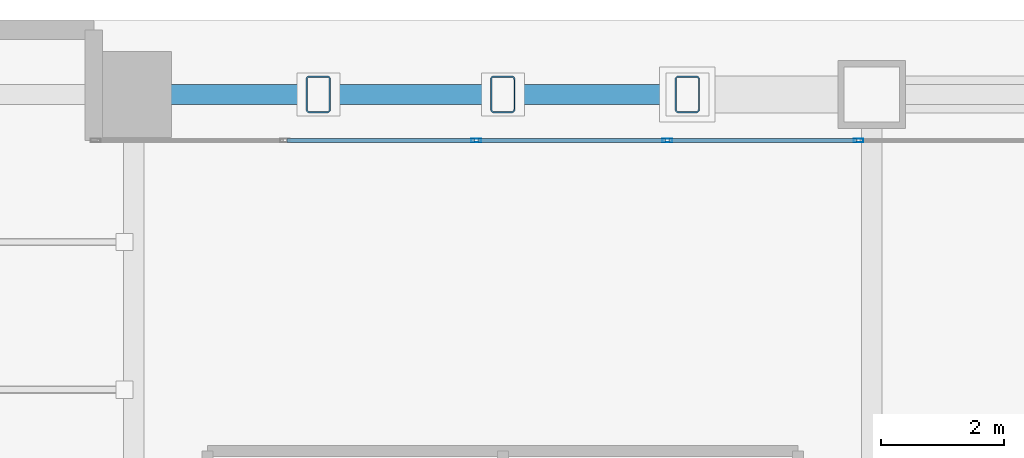
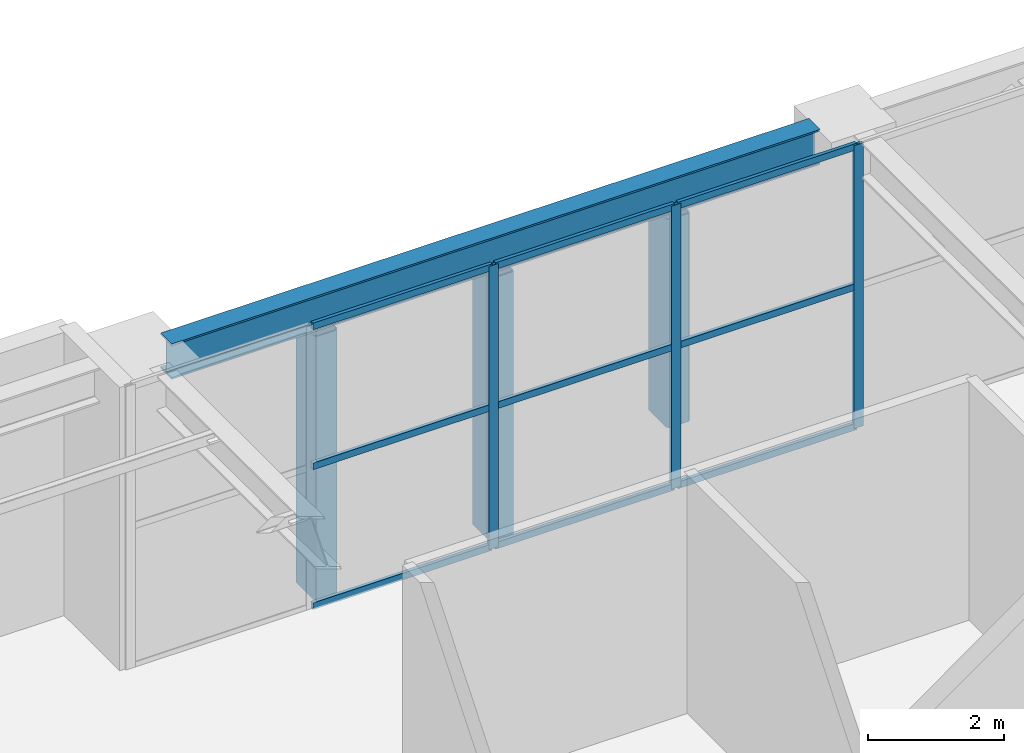
# One storey, part 16 of 32: 15 members, 1 beam, 1 element without a shape of its own.
"""IFC4 building model written with IfcOpenShell, lengths in metres."""

from ifc_helpers import new_model, si_unit, direction, frame, origin, origin_2d, place, context, subcontext, project, spatial, hollow_rectangle, i_section, extrude, material, layer, layer_set, material_profile, profile_set, type_object, element, aggregate, save


model = new_model("IFC4")

# Units and contexts
model_context = context("Model", 3, precision=1e-05, world=origin(), true_north=direction((0.0, 1.0)))
body_context = subcontext(model_context, "Body", "Model", "MODEL_VIEW")
ifc_project = project(units=[si_unit("LENGTHUNIT", "METRE"), si_unit("AREAUNIT", "SQUARE_METRE"), si_unit("VOLUMEUNIT", "CUBIC_METRE"), si_unit("PLANEANGLEUNIT", "RADIAN"), si_unit("MASSUNIT", "GRAM", prefix="KILO")], contexts=[model_context])

# Site, building, storey
site_placement = place(None, origin())
site = spatial("IfcSite", under=ifc_project, at=site_placement, CompositionType="ELEMENT")
building_placement = place(site_placement, origin())
building = spatial("IfcBuilding", under=site, at=building_placement, Name="Sarneth Arch Tower", CompositionType="ELEMENT")
storey_placement = place(building_placement, frame((0.0, 0.0, 11.39990234375)))
storey = spatial("IfcBuildingStorey", under=building, at=storey_placement, Name="L02", CompositionType="ELEMENT", Elevation=11.39990234375)

# Beam
ifc_material_1 = material(Name="Steel S355", Category="steel")
ifc_material_profile_1 = material_profile(ifc_material_1, i_section(OverallWidth=0.3291015625, OverallDepth=0.635009765625, WebThickness=0.017822265625, FlangeThickness=0.031005859375, FilletRadius=0.01904296875, at=origin_2d()), Name="W610x241")
ifc_profile_set_1 = profile_set([ifc_material_profile_1], Name="Steel S355")
beam_type = type_object("IfcBeamType", Name="BM-POD-610", PredefinedType="BEAM", material=ifc_profile_set_1)
beam_placement = place(storey_placement, frame((30.435546875, 74.800048828125, 4.78271484375), z_axis=(1.0, 0.0, 0.0), x_axis=(0.0, 1.0, 0.0)))
element("IfcBeam", 1, at=beam_placement, inside=storey, type_object=beam_type, Name="L02 Podium PN girder 3", PredefinedType="BEAM", context=body_context, shape_type="SweptSolid", body=[
    extrude(i_section(OverallWidth=0.3291015625, OverallDepth=0.635009765625, WebThickness=0.017822265625, FlangeThickness=0.031005859375, FilletRadius=0.01904296875, at=origin_2d()), origin(), (0.0, 0.0, 1.0), 11.04443359375),
])

# Curtain wall, members
ifc_material_2 = material(Name="Anodised aluminium Type AA25 and solar-control low-e laminated IGU", Category="aluminium")
ifc_layer = layer(ifc_material_2, 0.199951171875)
ifc_layer_set = layer_set([ifc_layer], Name="Anodised aluminium Type AA25 and solar-control low-e laminated IGU")
curtain_wall_type = type_object("IfcCurtainWallType", Name="CW-ARCH-GLAZE", PredefinedType="NOTDEFINED", material=ifc_layer_set)
curtain_wall_placement = place(storey_placement, origin())
curtain_wall = element("IfcCurtainWall", 2, at=curtain_wall_placement, inside=storey, type_object=curtain_wall_type, Name="L02 North parabolic arch portal curtain wall", PredefinedType="NOTDEFINED")
ifc_material_3 = material(Name="Anodised Aluminium 6063-T6", Category="aluminium")
ifc_material_profile_2 = material_profile(ifc_material_3, hollow_rectangle(XDim=0.06005859375, YDim=0.159912109375, WallThickness=0.00390625, at=origin_2d()), Name="AL-MULL-160x60x4")
ifc_profile_set_2 = profile_set([ifc_material_profile_2], Name="Anodised Aluminium 6063-T6")
member_type_1 = type_object("IfcMemberType", Name="CW-MULLION", PredefinedType="MULLION", material=ifc_profile_set_2)
member_1_placement = place(storey_placement, frame((41.783447265625, 74.050048828125, 0.0), z_axis=(0.0, 0.0, 1.0), x_axis=(0.0, -1.0, 0.0)))
member_1 = element("IfcMember", 3, at=member_1_placement, type_object=member_type_1, Name="CW-SYS-2 mullion 9", PredefinedType="MULLION", context=body_context, shape_type="SweptSolid", body=[
    extrude(hollow_rectangle(XDim=0.06005859375, YDim=0.159912109375, WallThickness=0.00390625, at=origin_2d()), origin(), (0.0, 0.0, 1.0), 5.10009765625),
])
member_2_placement = place(storey_placement, frame((38.675048828125, 74.050048828125, 0.0), z_axis=(0.0, 0.0, 1.0), x_axis=(0.0, -1.0, 0.0)))
member_2 = element("IfcMember", 4, at=member_2_placement, type_object=member_type_1, Name="CW-SYS-2 mullion 10", PredefinedType="MULLION", context=body_context, shape_type="SweptSolid", body=[
    extrude(hollow_rectangle(XDim=0.06005859375, YDim=0.159912109375, WallThickness=0.00390625, at=origin_2d()), origin(), (0.0, 0.0, 1.0), 5.10009765625),
])
member_3_placement = place(storey_placement, frame((35.566650390625, 74.050048828125, 0.0), z_axis=(0.0, 0.0, 1.0), x_axis=(0.0, -1.0, 0.0)))
member_3 = element("IfcMember", 5, at=member_3_placement, type_object=member_type_1, Name="CW-SYS-2 mullion 11", PredefinedType="MULLION", context=body_context, shape_type="SweptSolid", body=[
    extrude(hollow_rectangle(XDim=0.06005859375, YDim=0.159912109375, WallThickness=0.00390625, at=origin_2d()), origin(), (0.0, 0.0, 1.0), 5.10009765625),
])
ifc_material_4 = material(Name="Anodised Aluminium 6063-T6", Category="aluminium")
ifc_material_profile_3 = material_profile(ifc_material_4, hollow_rectangle(XDim=0.06005859375, YDim=0.1201171875, WallThickness=0.00390625, at=origin_2d()), Name="AL-TRAN-120x60x4")
ifc_profile_set_3 = profile_set([ifc_material_profile_3], Name="Anodised Aluminium 6063-T6")
member_type_2 = type_object("IfcMemberType", Name="CW-TRANSOM", PredefinedType="USERDEFINED", material=ifc_profile_set_3)
member_4_placement = place(storey_placement, frame((41.75341796875, 74.050048828125, 0.030029296875), z_axis=(-1.0, 0.0, 0.0), x_axis=(0.0, -1.0, 0.0)))
member_4 = element("IfcMember", 6, at=member_4_placement, type_object=member_type_2, Name="CW-SYS-2 transom 9.1", ObjectType="TRANSOM", PredefinedType="USERDEFINED", context=body_context, shape_type="SweptSolid", body=[
    extrude(hollow_rectangle(XDim=0.06005859375, YDim=0.1201171875, WallThickness=0.00390625, at=origin_2d()), origin(), (0.0, 0.0, 1.0), 3.04833984375),
])
member_5_placement = place(storey_placement, frame((41.75341796875, 74.050048828125, 2.550048828125), z_axis=(-1.0, 0.0, 0.0), x_axis=(0.0, -1.0, 0.0)))
member_5 = element("IfcMember", 7, at=member_5_placement, type_object=member_type_2, Name="CW-SYS-2 transom 9.2", ObjectType="TRANSOM", PredefinedType="USERDEFINED", context=body_context, shape_type="SweptSolid", body=[
    extrude(hollow_rectangle(XDim=0.06005859375, YDim=0.1201171875, WallThickness=0.00390625, at=origin_2d()), origin(), (0.0, 0.0, 1.0), 3.04833984375),
])
member_6_placement = place(storey_placement, frame((41.75341796875, 74.050048828125, 5.070068359375), z_axis=(-1.0, 0.0, 0.0), x_axis=(0.0, -1.0, 0.0)))
member_6 = element("IfcMember", 8, at=member_6_placement, type_object=member_type_2, Name="CW-SYS-2 transom 9.3", ObjectType="TRANSOM", PredefinedType="USERDEFINED", context=body_context, shape_type="SweptSolid", body=[
    extrude(hollow_rectangle(XDim=0.06005859375, YDim=0.1201171875, WallThickness=0.00390625, at=origin_2d()), origin(), (0.0, 0.0, 1.0), 3.04833984375),
])
member_7_placement = place(storey_placement, frame((38.64501953125, 74.050048828125, 0.030029296875), z_axis=(-1.0, 0.0, 0.0), x_axis=(0.0, -1.0, 0.0)))
member_7 = element("IfcMember", 9, at=member_7_placement, type_object=member_type_2, Name="CW-SYS-2 transom 10.1", ObjectType="TRANSOM", PredefinedType="USERDEFINED", context=body_context, shape_type="SweptSolid", body=[
    extrude(hollow_rectangle(XDim=0.06005859375, YDim=0.1201171875, WallThickness=0.00390625, at=origin_2d()), origin(), (0.0, 0.0, 1.0), 3.04833984375),
])
member_8_placement = place(storey_placement, frame((38.64501953125, 74.050048828125, 2.550048828125), z_axis=(-1.0, 0.0, 0.0), x_axis=(0.0, -1.0, 0.0)))
member_8 = element("IfcMember", 10, at=member_8_placement, type_object=member_type_2, Name="CW-SYS-2 transom 10.2", ObjectType="TRANSOM", PredefinedType="USERDEFINED", context=body_context, shape_type="SweptSolid", body=[
    extrude(hollow_rectangle(XDim=0.06005859375, YDim=0.1201171875, WallThickness=0.00390625, at=origin_2d()), origin(), (0.0, 0.0, 1.0), 3.04833984375),
])
member_9_placement = place(storey_placement, frame((38.64501953125, 74.050048828125, 5.070068359375), z_axis=(-1.0, 0.0, 0.0), x_axis=(0.0, -1.0, 0.0)))
member_9 = element("IfcMember", 11, at=member_9_placement, type_object=member_type_2, Name="CW-SYS-2 transom 10.3", ObjectType="TRANSOM", PredefinedType="USERDEFINED", context=body_context, shape_type="SweptSolid", body=[
    extrude(hollow_rectangle(XDim=0.06005859375, YDim=0.1201171875, WallThickness=0.00390625, at=origin_2d()), origin(), (0.0, 0.0, 1.0), 3.04833984375),
])
member_10_placement = place(storey_placement, frame((35.53662109375, 74.050048828125, 0.030029296875), z_axis=(-1.0, 0.0, 0.0), x_axis=(0.0, -1.0, 0.0)))
member_10 = element("IfcMember", 12, at=member_10_placement, type_object=member_type_2, Name="CW-SYS-2 transom 11.1", ObjectType="TRANSOM", PredefinedType="USERDEFINED", context=body_context, shape_type="SweptSolid", body=[
    extrude(hollow_rectangle(XDim=0.06005859375, YDim=0.1201171875, WallThickness=0.00390625, at=origin_2d()), origin(), (0.0, 0.0, 1.0), 3.04833984375),
])
member_11_placement = place(storey_placement, frame((35.53662109375, 74.050048828125, 2.550048828125), z_axis=(-1.0, 0.0, 0.0), x_axis=(0.0, -1.0, 0.0)))
member_11 = element("IfcMember", 13, at=member_11_placement, type_object=member_type_2, Name="CW-SYS-2 transom 11.2", ObjectType="TRANSOM", PredefinedType="USERDEFINED", context=body_context, shape_type="SweptSolid", body=[
    extrude(hollow_rectangle(XDim=0.06005859375, YDim=0.1201171875, WallThickness=0.00390625, at=origin_2d()), origin(), (0.0, 0.0, 1.0), 3.04833984375),
])
member_12_placement = place(storey_placement, frame((35.53662109375, 74.050048828125, 5.070068359375), z_axis=(-1.0, 0.0, 0.0), x_axis=(0.0, -1.0, 0.0)))
member_12 = element("IfcMember", 14, at=member_12_placement, type_object=member_type_2, Name="CW-SYS-2 transom 11.3", ObjectType="TRANSOM", PredefinedType="USERDEFINED", context=body_context, shape_type="SweptSolid", body=[
    extrude(hollow_rectangle(XDim=0.06005859375, YDim=0.1201171875, WallThickness=0.00390625, at=origin_2d()), origin(), (0.0, 0.0, 1.0), 3.04833984375),
])
aggregate(curtain_wall, [member_1, member_2, member_3, member_4, member_5, member_6, member_7, member_8, member_9, member_10, member_11, member_12])

# Members
ifc_material_5 = material(Name="Steel S355", Category="steel")
ifc_material_profile_4 = material_profile(ifc_material_5, hollow_rectangle(XDim=0.39990234375, YDim=0.60009765625, WallThickness=0.02197265625, InnerFilletRadius=0.032958984375, OuterFilletRadius=0.054931640625, at=origin_2d()), Name="RHS600x400x22")
ifc_profile_set_4 = profile_set([ifc_material_profile_4], Name="Steel S355")
member_type_3 = type_object("IfcMemberType", Name="MEM-ARCH-WEB", PredefinedType="BRACE", material=ifc_profile_set_4)
for number, where, z_axis, x_axis, name in (
    (15, (33.0, 74.800048828125, -0.27978515625), (0.0, 0.0, 1.0), (1.0, 0.0, 0.0), "Podium arch spandrel post 6.1B"),
    (16, (36.0, 74.800048828125, -0.27978515625), (0.0, 0.0, 1.0), (1.0, 0.0, 0.0), "Podium arch spandrel post 6.2B"),
):
    element("IfcMember", number, at=place(storey_placement, frame(where, z_axis=z_axis, x_axis=x_axis)), inside=storey, type_object=member_type_3, Name=name, PredefinedType="BRACE", context=body_context, shape_type="SweptSolid", body=[
        extrude(hollow_rectangle(XDim=0.39990234375, YDim=0.60009765625, WallThickness=0.02197265625, InnerFilletRadius=0.032958984375, OuterFilletRadius=0.054931640625, at=origin_2d()), origin(), (0.0, 0.0, 1.0), 4.759765625),
    ])
member_13_placement = place(storey_placement, frame((39.0, 74.800048828125, 0.7314453125), z_axis=(0.0, 0.0, 1.0), x_axis=(1.0, 0.0, 0.0)))
element("IfcMember", 17, at=member_13_placement, inside=storey, type_object=member_type_3, Name="Podium arch spandrel post 6.3", PredefinedType="BRACE", context=body_context, shape_type="SweptSolid", body=[
    extrude(hollow_rectangle(XDim=0.39990234375, YDim=0.60009765625, WallThickness=0.02197265625, InnerFilletRadius=0.032958984375, OuterFilletRadius=0.054931640625, at=origin_2d()), origin(), (0.0, 0.0, 1.0), 3.74853515625),
])

save(model, "model.ifc")
